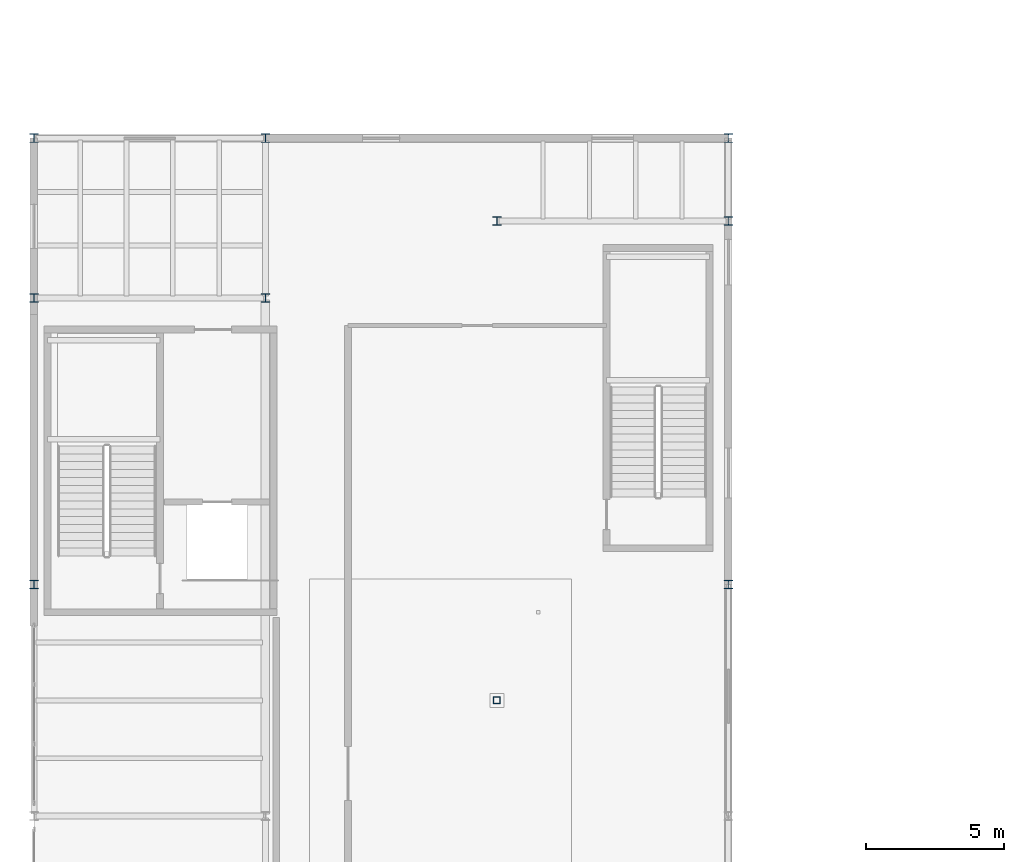
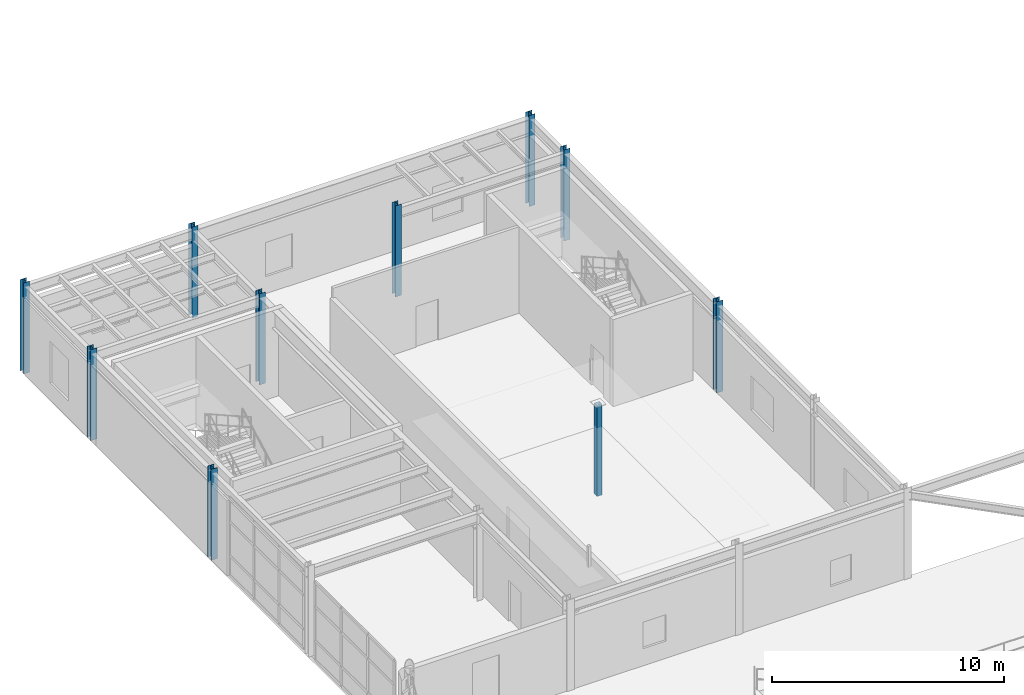
# One storey, part 11 of 116: 10 columns.
"""IFC4 building model written with IfcOpenShell, lengths in metres."""

from ifc_helpers import new_model, si_unit, direction, frame, origin, origin_2d, place, context, subcontext, project, spatial, hollow_rectangle, i_section, extrude, material, material_profile, profile_set, type_object, element, save


model = new_model("IFC4")

# Units and contexts
model_context = context("Model", 3, precision=1e-05, world=origin(), true_north=direction((0.0, 1.0)))
body_context = subcontext(model_context, "Body", "Model", "MODEL_VIEW")
ifc_project = project(units=[si_unit("LENGTHUNIT", "METRE"), si_unit("AREAUNIT", "SQUARE_METRE"), si_unit("VOLUMEUNIT", "CUBIC_METRE"), si_unit("PLANEANGLEUNIT", "RADIAN"), si_unit("MASSUNIT", "GRAM", prefix="KILO")], contexts=[model_context])

# Site, building, storey
site_placement = place(None, origin())
site = spatial("IfcSite", under=ifc_project, at=site_placement, CompositionType="ELEMENT")
building_placement = place(site_placement, origin())
building = spatial("IfcBuilding", under=site, at=building_placement, Name="Selat Folded Stagehouse", CompositionType="ELEMENT")
storey_placement = place(building_placement, frame((0.0, 0.0, 5.39990234375)))
storey = spatial("IfcBuildingStorey", under=building, at=storey_placement, Name="L01", CompositionType="ELEMENT", Elevation=5.39990234375)

# Columns
ifc_material = material(Name="Steel S355", Category="steel")
ifc_material_profile_1 = material_profile(ifc_material, i_section(OverallWidth=0.305419921875, OverallDepth=0.307861328125, WebThickness=0.010009765625, FlangeThickness=0.015380859375, FilletRadius=0.01513671875, at=origin_2d()), Name="UKC 305x305x97")
ifc_profile_set_1 = profile_set([ifc_material_profile_1], Name="Steel S355")
column_type_1 = type_object("IfcColumnType", Name="COL-UKC-305x305x97", PredefinedType="COLUMN", material=ifc_profile_set_1)
for number, where, z_axis, x_axis, name in (
    (1, (0.0, 70.800048828125, 0.0), (0.0, 0.0, 1.0), (1.0, 0.0, 0.0), "L01 column STK-V4-02"),
    (2, (0.0, 81.199951171875, 0.0), (0.0, 0.0, 1.0), (1.0, 0.0, 0.0), "L01 column STK-V4-03"),
    (3, (0.0, 87.0, 0.0), (0.0, 0.0, 1.0), (1.0, 0.0, 0.0), "L01 column STK-V4-04"),
    (4, (8.39990234375, 81.199951171875, 0.0), (0.0, 0.0, 1.0), (1.0, 0.0, 0.0), "L01 column STK-V4-06"),
    (5, (8.39990234375, 87.0, 0.0), (0.0, 0.0, 1.0), (1.0, 0.0, 0.0), "L01 column STK-V4-07"),
    (6, (16.800048828125, 84.0, 0.0), (0.0, 0.0, 1.0), (1.0, 0.0, 0.0), "L01 column STK-V4-08"),
    (7, (25.199951171875, 70.800048828125, 0.0), (0.0, 0.0, 1.0), (1.0, 0.0, 0.0), "L01 column STK-V4-11"),
    (8, (25.199951171875, 84.0, 0.0), (0.0, 0.0, 1.0), (1.0, 0.0, 0.0), "L01 column STK-V4-12"),
    (9, (25.199951171875, 87.0, 0.0), (0.0, 0.0, 1.0), (1.0, 0.0, 0.0), "L01 column STK-V4-13"),
):
    element("IfcColumn", number, at=place(storey_placement, frame(where, z_axis=z_axis, x_axis=x_axis)), inside=storey, type_object=column_type_1, Name=name, PredefinedType="COLUMN", context=body_context, shape_type="SweptSolid", body=[
        extrude(i_section(OverallWidth=0.305419921875, OverallDepth=0.307861328125, WebThickness=0.010009765625, FlangeThickness=0.015380859375, FilletRadius=0.01513671875, at=origin_2d()), origin(), (0.0, 0.0, 1.0), 4.800048828125),
    ])
ifc_material_profile_2 = material_profile(ifc_material, hollow_rectangle(XDim=0.25, YDim=0.25, WallThickness=0.012451171875, at=origin_2d()), Name="SHS 250x250x12.5")
ifc_profile_set_2 = profile_set([ifc_material_profile_2], Name="Steel S355")
column_type_2 = type_object("IfcColumnType", Name="PIL-SHS-250x250", PredefinedType="PILASTER", material=ifc_profile_set_2)
column_placement = place(storey_placement, frame((16.800048828125, 66.60009765625, 0.0), z_axis=(0.0, 0.0, 1.0), x_axis=(1.0, 0.0, 0.0)))
element("IfcColumn", 10, at=column_placement, inside=storey, type_object=column_type_2, Name="L01 pilaster 5", PredefinedType="PILASTER", context=body_context, shape_type="SweptSolid", body=[
    extrude(hollow_rectangle(XDim=0.25, YDim=0.25, WallThickness=0.012451171875, at=origin_2d()), origin(), (0.0, 0.0, 1.0), 4.800048828125),
])

save(model, "model.ifc")
